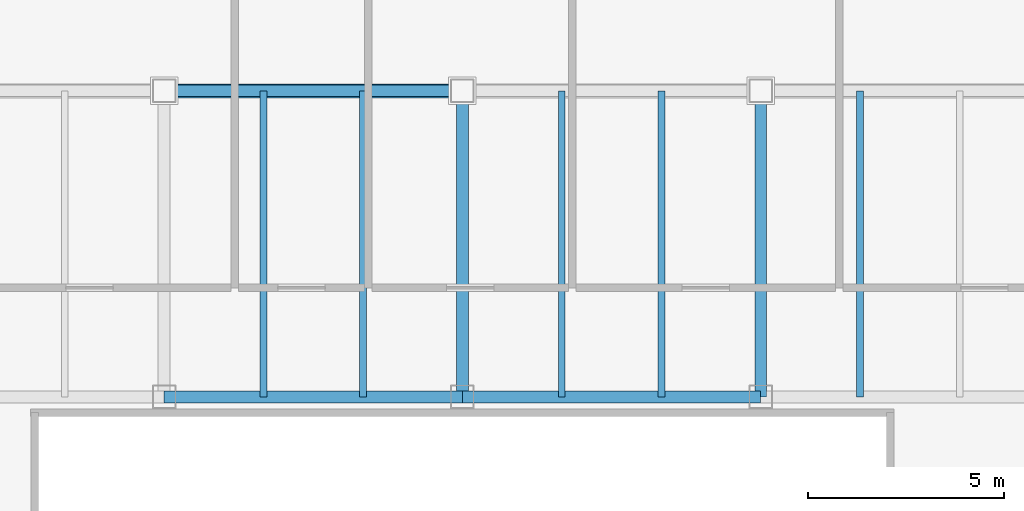
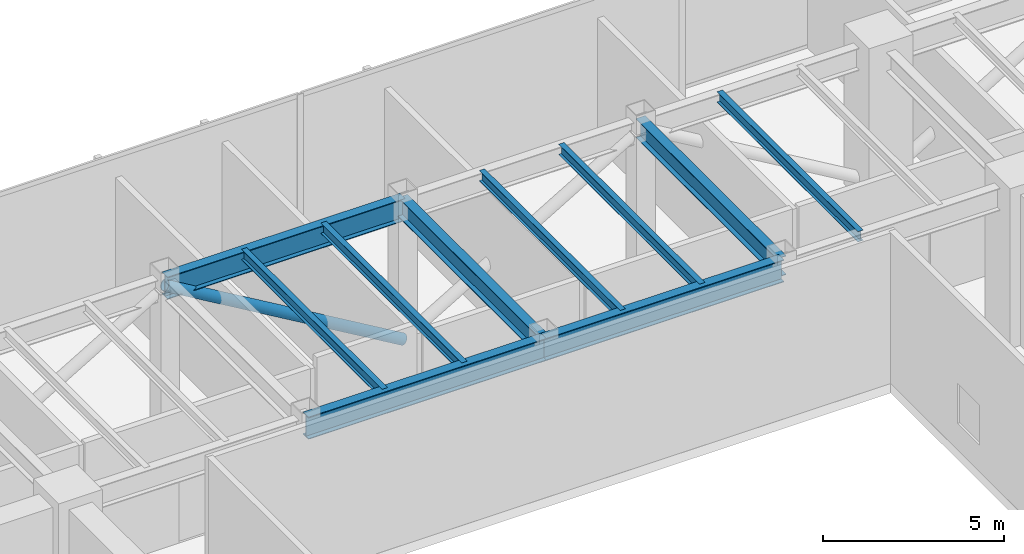
# One storey, part 17 of 38: 10 beams, 1 member.
"""IFC4 building model written with IfcOpenShell, lengths in metres."""

from ifc_helpers import new_model, si_unit, direction, frame, origin, origin_2d, place, context, subcontext, project, spatial, hollow_circle, i_section, extrude, source, transform, mapped, material, material_profile, profile_set, type_object, type_shapes, element, save


model = new_model("IFC4")

# Units and contexts
model_context = context("Model", 3, precision=1e-05, world=origin(), true_north=direction((0.0, 1.0)))
body_context = subcontext(model_context, "Body", "Model", "MODEL_VIEW")
ifc_project = project(units=[si_unit("LENGTHUNIT", "METRE"), si_unit("AREAUNIT", "SQUARE_METRE"), si_unit("VOLUMEUNIT", "CUBIC_METRE"), si_unit("PLANEANGLEUNIT", "RADIAN"), si_unit("MASSUNIT", "GRAM", prefix="KILO")], contexts=[model_context])

# Site, building, storey
site_placement = place(None, origin())
site = spatial("IfcSite", under=ifc_project, at=site_placement, CompositionType="ELEMENT")
building_placement = place(site_placement, origin())
building = spatial("IfcBuilding", under=site, at=building_placement, Name="Haelvirn Gate Laboratories", CompositionType="ELEMENT")
storey_placement = place(building_placement, frame((0.0, 0.0, 94.89990234375)))
storey = spatial("IfcBuildingStorey", under=building, at=storey_placement, Name="L23", CompositionType="ELEMENT", Elevation=94.89990234375)

# Beams
ifc_material = material(Name="Steel SM355", Category="steel")
ifc_material_profile_1 = material_profile(ifc_material, i_section(OverallWidth=0.300048828125, OverallDepth=0.75, WebThickness=0.013916015625, FlangeThickness=0.02392578125, at=origin_2d()), Name="H-750x300x14x24")
ifc_profile_set_1 = profile_set([ifc_material_profile_1], Name="Steel SM355")
beam_type_1 = type_object("IfcBeamType", Name="BM-G-750", PredefinedType="BEAM", material=ifc_profile_set_1)
shared_shape_1 = source(origin(), body_context, "Body", "SweptSolid", [
    extrude(i_section(OverallWidth=0.300048828125, OverallDepth=0.75, WebThickness=0.013916015625, FlangeThickness=0.02392578125, at=origin_2d()), origin(), (0.0, 0.0, 1.0), 7.60009765625),
])
beam_placement = place(storey_placement, frame((37.39990234375, 33.800048828125, 4.715087890625), z_axis=(1.0, 0.0, 0.0), x_axis=(0.0, 1.0, 0.0)))
element("IfcBeam", 1, at=beam_placement, inside=storey, type_object=beam_type_1, Name="L23 Primary Girder Y33.8 (37.4-45.0)", PredefinedType="BEAM", context=body_context, shape_type="MappedRepresentation", body=[
    mapped(shared_shape_1, transform((0.0, 0.0, 0.0), scale=1.0)),
])
shared_shape_2 = source(origin(), body_context, "Body", "SweptSolid", [
    extrude(i_section(OverallWidth=0.300048828125, OverallDepth=0.75, WebThickness=0.013916015625, FlangeThickness=0.02392578125, at=origin_2d()), origin(), (0.0, 0.0, 1.0), 7.599853515625),
])
type_shapes(beam_type_1, [shared_shape_1, shared_shape_2])
for number, where, z_axis, x_axis, name in (
    (2, (29.800048828125, 33.800048828125, 4.715087890625), (1.0, 0.0, 0.0), (0.0, 1.0, 0.0), "L23 Primary Girder Y33.8 (29.8-37.4)"),
    (3, (29.800048828125, 41.60009765625, 4.715087890625), (1.0, 0.0, 0.0), (0.0, 1.0, 0.0), "L23 Primary Girder Y41.6 (29.8-37.4)"),
):
    element("IfcBeam", number, at=place(storey_placement, frame(where, z_axis=z_axis, x_axis=x_axis)), inside=storey, type_object=beam_type_1, Name=name, PredefinedType="BEAM", context=body_context, shape_type="MappedRepresentation", body=[
        mapped(shared_shape_2, transform((0.0, 0.0, 0.0), scale=1.0)),
    ])
ifc_material_profile_2 = material_profile(ifc_material, i_section(OverallWidth=0.175048828125, OverallDepth=0.35009765625, WebThickness=0.007080078125, FlangeThickness=0.010986328125, at=origin_2d()), Name="H-350x175x7x11")
ifc_profile_set_2 = profile_set([ifc_material_profile_2], Name="Steel SM355")
beam_type_2 = type_object("IfcBeamType", Name="BM-J-350", PredefinedType="JOIST", material=ifc_profile_set_2)
shared_shape_3 = source(origin(), body_context, "Body", "SweptSolid", [
    extrude(i_section(OverallWidth=0.175048828125, OverallDepth=0.35009765625, WebThickness=0.007080078125, FlangeThickness=0.010986328125, at=origin_2d()), origin(), (0.0, 0.0, 1.0), 7.800048828125),
])
type_shapes(beam_type_2, [shared_shape_3])
for number, where, z_axis, x_axis, name in (
    (4, (32.330078125, 33.800048828125, 4.9150390625), (0.0, 1.0, 0.0), (-1.0, 0.0, 0.0), "L23 Composite Lab Joist North X32.33"),
    (5, (34.8701171875, 33.800048828125, 4.9150390625), (0.0, 1.0, 0.0), (-1.0, 0.0, 0.0), "L23 Composite Lab Joist North X34.87"),
    (6, (39.929931640625, 33.800048828125, 4.9150390625), (0.0, 1.0, 0.0), (-1.0, 0.0, 0.0), "L23 Composite Lab Joist North X39.93"),
    (7, (42.469970703125, 33.800048828125, 4.9150390625), (0.0, 1.0, 0.0), (-1.0, 0.0, 0.0), "L23 Composite Lab Joist North X42.47"),
    (8, (47.530029296875, 33.800048828125, 4.9150390625), (0.0, 1.0, 0.0), (-1.0, 0.0, 0.0), "L23 Composite Lab Joist North X47.53"),
):
    element("IfcBeam", number, at=place(storey_placement, frame(where, z_axis=z_axis, x_axis=x_axis)), inside=storey, type_object=beam_type_2, Name=name, PredefinedType="JOIST", context=body_context, shape_type="MappedRepresentation", body=[
        mapped(shared_shape_3, transform((0.0, 0.0, 0.0), scale=1.0)),
    ])
ifc_material_profile_3 = material_profile(ifc_material, i_section(OverallWidth=0.300048828125, OverallDepth=0.64990234375, WebThickness=0.012939453125, FlangeThickness=0.02197265625, at=origin_2d()), Name="H-650x300x13x22")
ifc_profile_set_3 = profile_set([ifc_material_profile_3], Name="Steel SM355")
beam_type_3 = type_object("IfcBeamType", Name="BM-G-650", PredefinedType="BEAM", material=ifc_profile_set_3)
shared_shape_4 = source(origin(), body_context, "Body", "SweptSolid", [
    extrude(i_section(OverallWidth=0.300048828125, OverallDepth=0.64990234375, WebThickness=0.012939453125, FlangeThickness=0.02197265625, at=origin_2d()), origin(), (0.0, 0.0, 1.0), 7.800048828125),
])
type_shapes(beam_type_3, [shared_shape_4])
for number, where, z_axis, x_axis, name in (
    (9, (37.39990234375, 33.800048828125, 4.76513671875), (0.0, 1.0, 0.0), (-1.0, 0.0, 0.0), "L23 Frame Girder X37.4 (33.8-41.6)"),
    (10, (45.0, 33.800048828125, 4.76513671875), (0.0, 1.0, 0.0), (-1.0, 0.0, 0.0), "L23 Frame Girder X45.0 (33.8-41.6)"),
):
    element("IfcBeam", number, at=place(storey_placement, frame(where, z_axis=z_axis, x_axis=x_axis)), inside=storey, type_object=beam_type_3, Name=name, PredefinedType="BEAM", context=body_context, shape_type="MappedRepresentation", body=[
        mapped(shared_shape_4, transform((0.0, 0.0, 0.0), scale=1.0)),
    ])

# Member
ifc_material_profile_4 = material_profile(ifc_material, hollow_circle(Radius=0.177734375, WallThickness=0.013916015625, at=origin_2d()), Name="CHS-355x14")
ifc_profile_set_4 = profile_set([ifc_material_profile_4], Name="Steel SM355")
member_type = type_object("IfcMemberType", Name="MEM-BELT-1", PredefinedType="STRUT", material=ifc_profile_set_4)
shared_shape_5 = source(origin(), body_context, "Body", "SweptSolid", [
    extrude(hollow_circle(Radius=0.177734375, WallThickness=0.013916015625, at=origin_2d()), origin(), (0.0, 0.0, 1.0), 8.8271484375),
])
type_shapes(member_type, [shared_shape_5])
member_placement = place(storey_placement, frame((29.800048828125, 41.60009765625, 4.739990234375), z_axis=(0.860967821872, 0.0, -0.508659424076), x_axis=(0.0, 1.0, 0.0)))
element("IfcMember", 11, at=member_placement, inside=storey, type_object=member_type, Name="L23 Perimeter Belt Truss N4", PredefinedType="STRUT", context=body_context, shape_type="MappedRepresentation", body=[
    mapped(shared_shape_5, transform((0.0, 0.0, 0.0), scale=1.0)),
])

save(model, "model.ifc")
